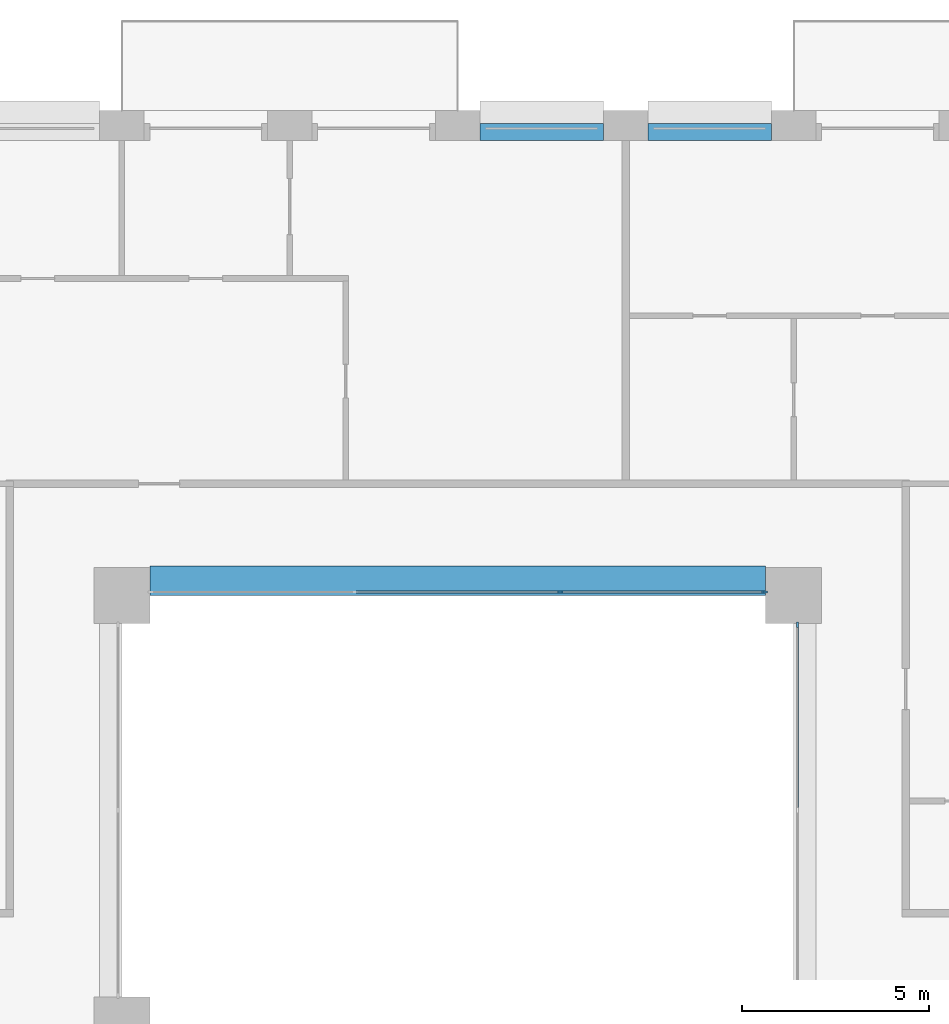
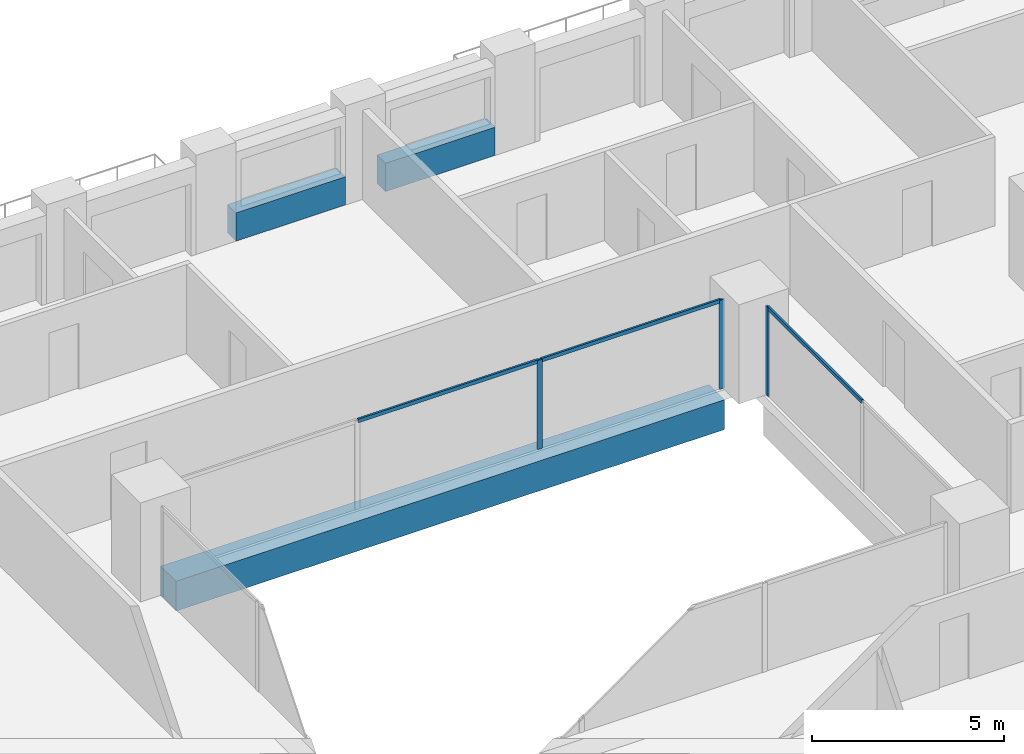
# One storey, part 7 of 20: 6 members, 3 beams, 2 elements without a shape of their own.
"""IFC4 building model written with IfcOpenShell, lengths in metres."""

from ifc_helpers import new_model, si_unit, direction, frame, origin, origin_2d, place, context, subcontext, project, spatial, rectangle, extrude, material, layer, layer_set, material_profile, profile_set, type_object, element, aggregate, save


model = new_model("IFC4")

# Units and contexts
model_context = context("Model", 3, precision=1e-05, world=origin(), true_north=direction((0.0, 1.0)))
body_context = subcontext(model_context, "Body", "Model", "MODEL_VIEW")
ifc_project = project(units=[si_unit("LENGTHUNIT", "METRE"), si_unit("AREAUNIT", "SQUARE_METRE"), si_unit("VOLUMEUNIT", "CUBIC_METRE"), si_unit("PLANEANGLEUNIT", "RADIAN"), si_unit("MASSUNIT", "GRAM", prefix="KILO")], contexts=[model_context])

# Site, building, storey
site_placement = place(None, origin())
site = spatial("IfcSite", under=ifc_project, at=site_placement, CompositionType="ELEMENT")
building_placement = place(site_placement, origin())
building = spatial("IfcBuilding", under=site, at=building_placement, Name="Brigalow Station Residences", CompositionType="ELEMENT")
storey_placement = place(building_placement, frame((0.0, 0.0, 38.39990234375)))
storey = spatial("IfcBuildingStorey", under=building, at=storey_placement, Name="L10", CompositionType="ELEMENT", Elevation=38.39990234375)

# Beam
ifc_material_1 = material(Name="Concrete C65", Category="concrete")
ifc_material_profile_1 = material_profile(ifc_material_1, rectangle(XDim=0.800048828125, YDim=0.949951171875, at=origin_2d()), Name="RC800x950")
ifc_profile_set_1 = profile_set([ifc_material_profile_1], Name="Concrete C65")
beam_type_1 = type_object("IfcBeamType", Name="ATRIUM EDGE GIRDER OVER 13.5 M SPAN 800x950 C65", PredefinedType="BEAM", material=ifc_profile_set_1)
beam_placement = place(storey_placement, frame((27.75, 35.89990234375, -0.794921875), z_axis=(1.0, 0.0, 0.0), x_axis=(0.0, 1.0, 0.0)))
element("IfcBeam", 1, at=beam_placement, inside=storey, type_object=beam_type_1, Name="ATRIUM EDGE GIRDER D L10", PredefinedType="BEAM", context=body_context, shape_type="SweptSolid", body=[
    extrude(rectangle(XDim=0.800048828125, YDim=0.949951171875, at=origin_2d()), origin(), (0.0, 0.0, 1.0), 16.5),
])

# Curtain wall, member
ifc_material_2 = material(Name="Aluminium", Category="aluminium")
ifc_layer = layer(ifc_material_2, 0.14990234375)
ifc_layer_set = layer_set([ifc_layer], Name="ATRIUM FIRE-RATED GLAZING CURTAIN WALL")
curtain_wall_type = type_object("IfcCurtainWallType", Name="ATRIUM FIRE-RATED GLAZING CURTAIN WALL", PredefinedType="NOTDEFINED", material=ifc_layer_set)
curtain_wall_1_placement = place(storey_placement, origin())
curtain_wall_1 = element("IfcCurtainWall", 2, at=curtain_wall_1_placement, inside=storey, type_object=curtain_wall_type, Name="L10/cw/atrium-E", PredefinedType="NOTDEFINED")
ifc_material_3 = material(Name="Aluminium", Category="aluminium")
ifc_material_profile_2 = material_profile(ifc_material_3, rectangle(XDim=0.06005859375, YDim=0.14990234375, at=origin_2d()), Name="ATRIUM FIRE-RATED GLAZING MULLION 60x150")
ifc_profile_set_2 = profile_set([ifc_material_profile_2], Name="Aluminium")
member_type_1 = type_object("IfcMemberType", Name="ATRIUM FIRE-RATED GLAZING MULLION 60x150", PredefinedType="MULLION", material=ifc_profile_set_2)
member_1_placement = place(storey_placement, frame((45.10009765625, 34.719970703125, 0.0), z_axis=(0.0, 0.0, 1.0), x_axis=(-1.0, 0.0, 0.0)))
member_1 = element("IfcMember", 3, at=member_1_placement, type_object=member_type_1, Name="L10/cw/atrium-E/M02", PredefinedType="MULLION", context=body_context, shape_type="SweptSolid", body=[
    extrude(rectangle(XDim=0.06005859375, YDim=0.14990234375, at=origin_2d()), origin(), (0.0, 0.0, 1.0), 2.830078125),
])

# Curtain wall, members
curtain_wall_2_placement = place(storey_placement, origin())
curtain_wall_2 = element("IfcCurtainWall", 4, at=curtain_wall_2_placement, inside=storey, type_object=curtain_wall_type, Name="L10/cw/atrium-N", PredefinedType="NOTDEFINED")
member_2_placement = place(storey_placement, frame((44.219970703125, 35.60009765625, 0.0), z_axis=(0.0, 0.0, 1.0), x_axis=(0.0, -1.0, 0.0)))
member_2 = element("IfcMember", 5, at=member_2_placement, type_object=member_type_1, Name="L10/cw/atrium-N/M00", PredefinedType="MULLION", context=body_context, shape_type="SweptSolid", body=[
    extrude(rectangle(XDim=0.06005859375, YDim=0.14990234375, at=origin_2d()), origin(), (0.0, 0.0, 1.0), 2.830078125),
])
member_3_placement = place(storey_placement, frame((38.75, 35.60009765625, 0.0), z_axis=(0.0, 0.0, 1.0), x_axis=(0.0, -1.0, 0.0)))
member_3 = element("IfcMember", 6, at=member_3_placement, type_object=member_type_1, Name="L10/cw/atrium-N/M01", PredefinedType="MULLION", context=body_context, shape_type="SweptSolid", body=[
    extrude(rectangle(XDim=0.06005859375, YDim=0.14990234375, at=origin_2d()), origin(), (0.0, 0.0, 1.0), 2.830078125),
])

# Member
ifc_material_4 = material(Name="Aluminium", Category="aluminium")
ifc_material_profile_3 = material_profile(ifc_material_4, rectangle(XDim=0.06005859375, YDim=0.1201171875, at=origin_2d()), Name="ATRIUM FIRE-RATED GLAZING TRANSOM 60x120")
ifc_profile_set_3 = profile_set([ifc_material_profile_3], Name="Aluminium")
member_type_2 = type_object("IfcMemberType", Name="ATRIUM FIRE-RATED GLAZING TRANSOM 60x120", PredefinedType="USERDEFINED", material=ifc_profile_set_3)
member_4_placement = place(storey_placement, frame((45.10009765625, 29.780029296875, 2.800048828125), z_axis=(0.0, 1.0, 0.0), x_axis=(-1.0, 0.0, 0.0)))
member_4 = element("IfcMember", 7, at=member_4_placement, type_object=member_type_2, Name="L10/cw/atrium-E/T01-00", ObjectType="TRANSOM", PredefinedType="USERDEFINED", context=body_context, shape_type="SweptSolid", body=[
    extrude(rectangle(XDim=0.06005859375, YDim=0.1201171875, at=origin_2d()), origin(), (0.0, 0.0, 1.0), 4.909912109375),
])

aggregate(curtain_wall_1, [member_1, member_4])

member_5_placement = place(storey_placement, frame((44.18994140625, 35.60009765625, 2.800048828125), z_axis=(-1.0, 0.0, 0.0), x_axis=(0.0, -1.0, 0.0)))
member_5 = element("IfcMember", 8, at=member_5_placement, type_object=member_type_2, Name="L10/cw/atrium-N/T00-00", ObjectType="TRANSOM", PredefinedType="USERDEFINED", context=body_context, shape_type="SweptSolid", body=[
    extrude(rectangle(XDim=0.06005859375, YDim=0.1201171875, at=origin_2d()), origin(), (0.0, 0.0, 1.0), 5.409912109375),
])

member_6_placement = place(storey_placement, frame((38.719970703125, 35.60009765625, 2.800048828125), z_axis=(-1.0, 0.0, 0.0), x_axis=(0.0, -1.0, 0.0)))
member_6 = element("IfcMember", 9, at=member_6_placement, type_object=member_type_2, Name="L10/cw/atrium-N/T01-00", ObjectType="TRANSOM", PredefinedType="USERDEFINED", context=body_context, shape_type="SweptSolid", body=[
    extrude(rectangle(XDim=0.06005859375, YDim=0.1201171875, at=origin_2d()), origin(), (0.0, 0.0, 1.0), 5.43994140625),
])

aggregate(curtain_wall_2, [member_2, member_3, member_5, member_6])

# Beams
ifc_material_5 = material(Name="Concrete C65", Category="concrete")
ifc_material_profile_4 = material_profile(ifc_material_5, rectangle(XDim=0.449951171875, YDim=0.89990234375, at=origin_2d()), Name="RC450x900")
ifc_profile_set_4 = profile_set([ifc_material_profile_4], Name="Concrete C65")
beam_type_2 = type_object("IfcBeamType", Name="SPANDREL BEAM 450x900 C65", PredefinedType="SPANDREL", material=ifc_profile_set_4)
for number, where, z_axis, x_axis, name in (
    (10, (44.39990234375, 47.925048828125, 0.4501953125), (-1.0, 0.0, 0.0), (0.0, -1.0, 0.0), "L10/spandrel/W-L10-31"),
    (11, (39.89990234375, 47.925048828125, 0.4501953125), (-1.0, 0.0, 0.0), (0.0, -1.0, 0.0), "L10/spandrel/W-L10-32"),
):
    element("IfcBeam", number, at=place(storey_placement, frame(where, z_axis=z_axis, x_axis=x_axis)), inside=storey, type_object=beam_type_2, Name=name, PredefinedType="SPANDREL", context=body_context, shape_type="SweptSolid", body=[
        extrude(rectangle(XDim=0.449951171875, YDim=0.89990234375, at=origin_2d()), origin(), (0.0, 0.0, 1.0), 3.2998046875),
    ])

save(model, "model.ifc")
